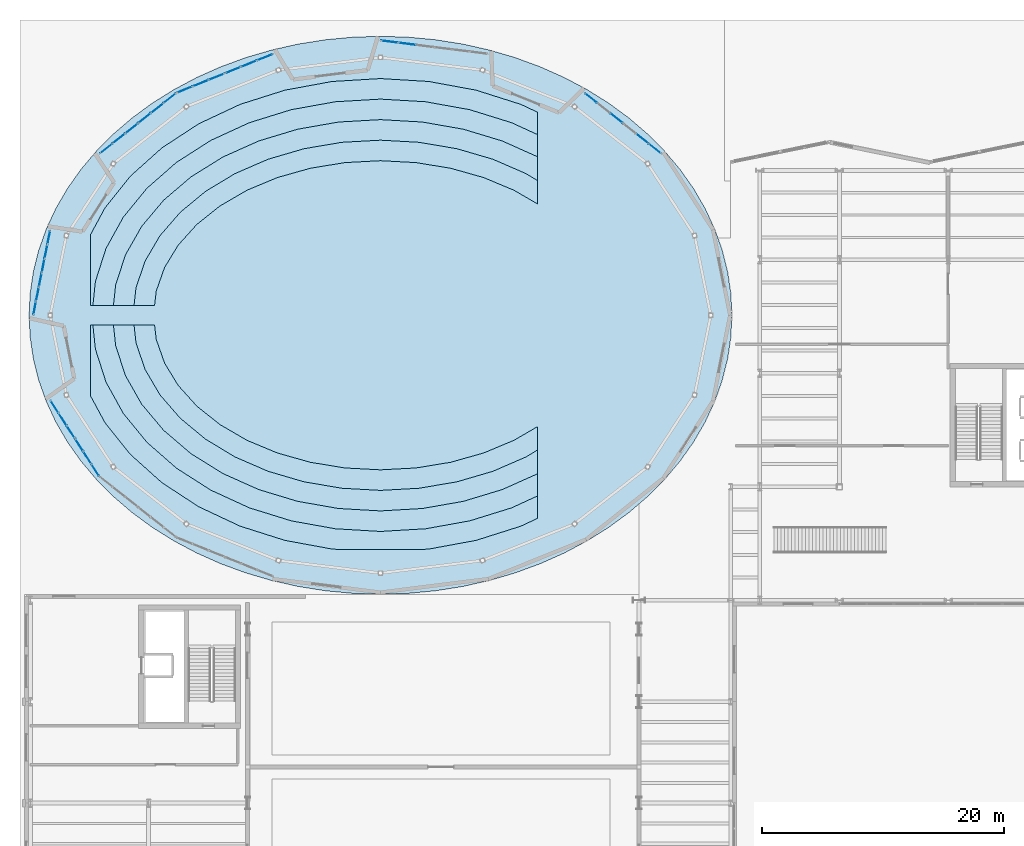
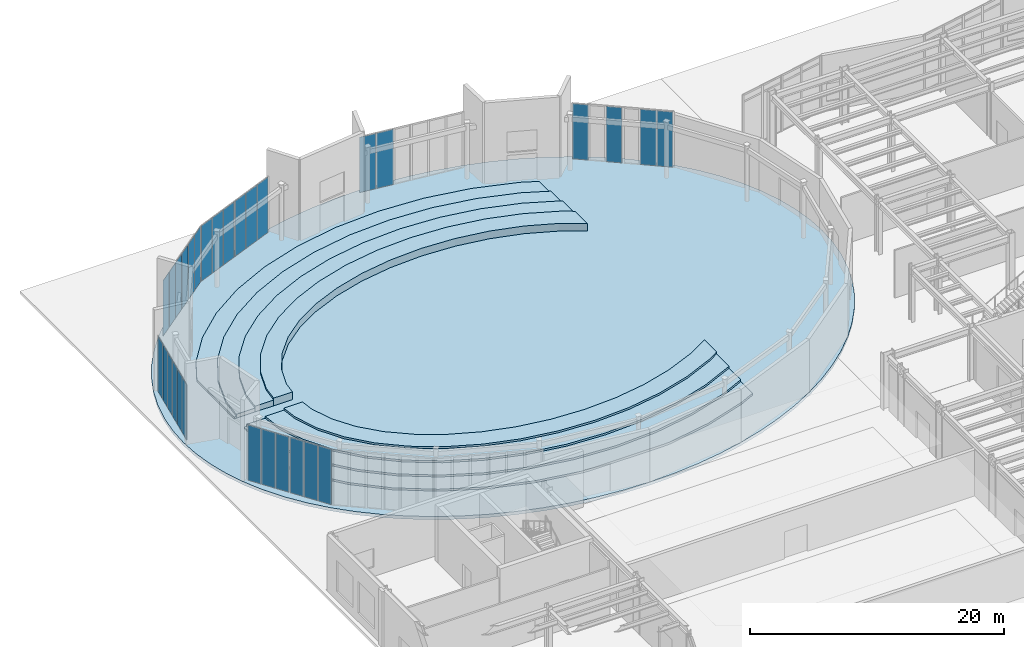
# One storey, part 66 of 94: 30 plates, 9 slabs, 11 elements without a shape of their own.
"""IFC4 building model written with IfcOpenShell, lengths in metres."""

from ifc_helpers import new_model, si_unit, direction, frame, origin, origin_2d, place, context, subcontext, project, spatial, polyline, rectangle, outline, extrude, material, layer, layer_set, type_object, element, aggregate, save


model = new_model("IFC4")

# Units and contexts
model_context = context("Model", 3, precision=1e-05, world=origin(), true_north=direction((0.0, 1.0)))
body_context = subcontext(model_context, "Body", "Model", "MODEL_VIEW")
ifc_project = project(units=[si_unit("LENGTHUNIT", "METRE"), si_unit("AREAUNIT", "SQUARE_METRE"), si_unit("VOLUMEUNIT", "CUBIC_METRE"), si_unit("PLANEANGLEUNIT", "RADIAN"), si_unit("MASSUNIT", "GRAM", prefix="KILO")], contexts=[model_context])

# Site, building, storey
site_placement = place(None, origin())
site = spatial("IfcSite", under=ifc_project, at=site_placement, CompositionType="ELEMENT")
building_placement = place(site_placement, origin())
building = spatial("IfcBuilding", under=site, at=building_placement, Name="Sollismere Congress Hotel", CompositionType="ELEMENT")
storey_placement = place(building_placement, origin())
storey = spatial("IfcBuildingStorey", under=building, at=storey_placement, Name="L00", CompositionType="ELEMENT", Elevation=0.0)

# Curtain wall, plates
ifc_material_1 = material(Name="Anodized Bronze Curtain Wall & Low-E Triple Glazing", Category="glass")
ifc_layer_1 = layer(ifc_material_1, 0.199951171875, Name="Anodized Bronze Curtain Wall & Low-E Triple Glazing")
ifc_layer_set_1 = layer_set([ifc_layer_1], Name="Anodized Bronze Curtain Wall & Low-E Triple Glazing")
curtain_wall_type = type_object("IfcCurtainWallType", Name="CW-GLZ36", PredefinedType="USERDEFINED", material=ifc_layer_set_1)
curtain_wall_1_placement = place(storey_placement, origin())
curtain_wall_1 = element("IfcCurtainWall", 1, at=curtain_wall_1_placement, inside=storey, type_object=curtain_wall_type, Name="Unitised curtain wall CW-L00-001", ObjectType="UNITISED CURTAIN WALL", PredefinedType="USERDEFINED")
ifc_material_2 = material(Name="Blue-Tinted Solar-Control Low-E Vision Glass", Category="glass")
ifc_layer_2 = layer(ifc_material_2, 0.035888671875, Name="Blue-Tinted Solar-Control Low-E Vision Glass")
ifc_layer_set_2 = layer_set([ifc_layer_2], Name="Blue-Tinted Solar-Control Low-E Vision Glass")
plate_type = type_object("IfcPlateType", Name="PL-CWGLZ", PredefinedType="CURTAIN_PANEL", material=ifc_layer_set_2)
plate_1_placement = place(storey_placement, frame((51.71435546875, 104.203369140625, 0.052978515625), z_axis=(0.0, 0.0, 1.0), x_axis=(-0.784181063891, 0.620532077362, 0.0)))
plate_1 = element("IfcPlate", 2, at=plate_1_placement, type_object=plate_type, Name="CWL-CW-L00-001-VP01", PredefinedType="CURTAIN_PANEL", context=body_context, shape_type="SweptSolid", body=[
    extrude(rectangle(XDim=1.2626953125, YDim=0.035888671875, at=origin_2d()), origin(), (0.0, 0.0, 1.0), 5.31396484375),
])
plate_2_placement = place(storey_placement, frame((50.669189453125, 105.0302734375, 0.052978515625), z_axis=(0.0, 0.0, 1.0), x_axis=(-0.784181063891, 0.620532077362, 0.0)))
plate_2 = element("IfcPlate", 3, at=plate_2_placement, type_object=plate_type, Name="CWL-CW-L00-001-VP02", PredefinedType="CURTAIN_PANEL", context=body_context, shape_type="SweptSolid", body=[
    extrude(rectangle(XDim=1.30078125, YDim=0.035888671875, at=origin_2d()), origin(), (0.0, 0.0, 1.0), 5.31396484375),
])
aggregate(curtain_wall_1, [plate_1, plate_2])

curtain_wall_2_placement = place(storey_placement, origin())
curtain_wall_2 = element("IfcCurtainWall", 4, at=curtain_wall_2_placement, inside=storey, type_object=curtain_wall_type, Name="Unitised curtain wall CW-L00-002", ObjectType="UNITISED CURTAIN WALL", PredefinedType="USERDEFINED")
plate_3_placement = place(storey_placement, frame((48.5341796875, 106.7197265625, 0.052978515625), z_axis=(0.0, 0.0, 1.0), x_axis=(-0.784181063891, 0.620532077362, 0.0)))
plate_3 = element("IfcPlate", 5, at=plate_3_placement, type_object=plate_type, Name="CWL-CW-L00-002-VP01", PredefinedType="CURTAIN_PANEL", context=body_context, shape_type="SweptSolid", body=[
    extrude(rectangle(XDim=1.2626953125, YDim=0.035888671875, at=origin_2d()), origin(), (0.0, 0.0, 1.0), 5.31396484375),
])
plate_4_placement = place(storey_placement, frame((46.443603515625, 108.373779296875, 0.052978515625), z_axis=(0.0, 0.0, 1.0), x_axis=(-0.784181063891, 0.620532077362, 0.0)))
plate_4 = element("IfcPlate", 6, at=plate_4_placement, type_object=plate_type, Name="CWL-CW-L00-002-VP03", PredefinedType="CURTAIN_PANEL", context=body_context, shape_type="SweptSolid", body=[
    extrude(rectangle(XDim=1.2626953125, YDim=0.035888671875, at=origin_2d()), origin(), (0.0, 0.0, 1.0), 5.31396484375),
])
aggregate(curtain_wall_2, [plate_3, plate_4])

curtain_wall_3_placement = place(storey_placement, origin())
curtain_wall_3 = element("IfcCurtainWall", 7, at=curtain_wall_3_placement, inside=storey, type_object=curtain_wall_type, Name="Unitised curtain wall CW-L00-012", ObjectType="UNITISED CURTAIN WALL", PredefinedType="USERDEFINED")
plate_5_placement = place(storey_placement, frame((31.220947265625, 112.87158203125, 0.052978515625), z_axis=(0.0, 0.0, 1.0), x_axis=(-0.992236726166, 0.124363496441, 0.0)))
plate_5 = element("IfcPlate", 8, at=plate_5_placement, type_object=plate_type, Name="CWL-CW-L00-012-VP02", PredefinedType="CURTAIN_PANEL", context=body_context, shape_type="SweptSolid", body=[
    extrude(rectangle(XDim=1.44140625, YDim=0.035888671875, at=origin_2d()), origin(), (0.0, 0.0, 1.0), 5.31396484375),
])
plate_6_placement = place(storey_placement, frame((29.75927734375, 113.0546875, 0.052978515625), z_axis=(0.0, 0.0, 1.0), x_axis=(-0.992236726166, 0.124363496441, 0.0)))
plate_6 = element("IfcPlate", 9, at=plate_6_placement, type_object=plate_type, Name="CWL-CW-L00-012-VP03", PredefinedType="CURTAIN_PANEL", context=body_context, shape_type="SweptSolid", body=[
    extrude(rectangle(XDim=1.4033203125, YDim=0.035888671875, at=origin_2d()), origin(), (0.0, 0.0, 1.0), 5.31396484375),
])
aggregate(curtain_wall_3, [plate_5, plate_6])

curtain_wall_4_placement = place(storey_placement, origin())
curtain_wall_4 = element("IfcCurtainWall", 10, at=curtain_wall_4_placement, inside=storey, type_object=curtain_wall_type, Name="Unitised curtain wall CW-L00-021", ObjectType="UNITISED CURTAIN WALL", PredefinedType="USERDEFINED")
plate_7_placement = place(storey_placement, frame((19.430419921875, 111.760009765625, 0.052978515625), z_axis=(0.0, 0.0, 1.0), x_axis=(-0.927451680013, -0.373943018709, 0.0)))
plate_7 = element("IfcPlate", 11, at=plate_7_placement, type_object=plate_type, Name="CWL-CW-L00-021-VP01", PredefinedType="CURTAIN_PANEL", context=body_context, shape_type="SweptSolid", body=[
    extrude(rectangle(XDim=1.351318359375, YDim=0.035888671875, at=origin_2d()), origin(), (0.0, 0.0, 1.0), 5.31396484375),
])
plate_8_placement = place(storey_placement, frame((18.112060546875, 111.228759765625, 0.052978515625), z_axis=(0.0, 0.0, 1.0), x_axis=(-0.927451680013, -0.373943018709, 0.0)))
plate_8 = element("IfcPlate", 12, at=plate_8_placement, type_object=plate_type, Name="CWL-CW-L00-021-VP02", PredefinedType="CURTAIN_PANEL", context=body_context, shape_type="SweptSolid", body=[
    extrude(rectangle(XDim=1.389404296875, YDim=0.035888671875, at=origin_2d()), origin(), (0.0, 0.0, 1.0), 5.31396484375),
])
plate_9_placement = place(storey_placement, frame((16.7939453125, 110.697265625, 0.052978515625), z_axis=(0.0, 0.0, 1.0), x_axis=(-0.927451680013, -0.373943018709, 0.0)))
plate_9 = element("IfcPlate", 13, at=plate_9_placement, type_object=plate_type, Name="CWL-CW-L00-021-VP03", PredefinedType="CURTAIN_PANEL", context=body_context, shape_type="SweptSolid", body=[
    extrude(rectangle(XDim=1.351318359375, YDim=0.035888671875, at=origin_2d()), origin(), (0.0, 0.0, 1.0), 5.31396484375),
])
aggregate(curtain_wall_4, [plate_7, plate_8, plate_9])

curtain_wall_5_placement = place(storey_placement, origin())
curtain_wall_5 = element("IfcCurtainWall", 14, at=curtain_wall_5_placement, inside=storey, type_object=curtain_wall_type, Name="Unitised curtain wall CW-L00-022", ObjectType="UNITISED CURTAIN WALL", PredefinedType="USERDEFINED")
plate_10_placement = place(storey_placement, frame((15.423095703125, 110.144287109375, 0.052978515625), z_axis=(0.0, 0.0, 1.0), x_axis=(-0.927451680013, -0.373943018709, 0.0)))
plate_10 = element("IfcPlate", 15, at=plate_10_placement, type_object=plate_type, Name="CWL-CW-L00-022-VP01", PredefinedType="CURTAIN_PANEL", context=body_context, shape_type="SweptSolid", body=[
    extrude(rectangle(XDim=1.351318359375, YDim=0.035888671875, at=origin_2d()), origin(), (0.0, 0.0, 1.0), 5.31396484375),
])
plate_11_placement = place(storey_placement, frame((14.104736328125, 109.61279296875, 0.052978515625), z_axis=(0.0, 0.0, 1.0), x_axis=(-0.927451680013, -0.373943018709, 0.0)))
plate_11 = element("IfcPlate", 16, at=plate_11_placement, type_object=plate_type, Name="CWL-CW-L00-022-VP02", PredefinedType="CURTAIN_PANEL", context=body_context, shape_type="SweptSolid", body=[
    extrude(rectangle(XDim=1.389404296875, YDim=0.035888671875, at=origin_2d()), origin(), (0.0, 0.0, 1.0), 5.31396484375),
])
plate_12_placement = place(storey_placement, frame((12.78662109375, 109.08154296875, 0.052978515625), z_axis=(0.0, 0.0, 1.0), x_axis=(-0.927451680013, -0.373943018709, 0.0)))
plate_12 = element("IfcPlate", 17, at=plate_12_placement, type_object=plate_type, Name="CWL-CW-L00-022-VP03", PredefinedType="CURTAIN_PANEL", context=body_context, shape_type="SweptSolid", body=[
    extrude(rectangle(XDim=1.351318359375, YDim=0.035888671875, at=origin_2d()), origin(), (0.0, 0.0, 1.0), 5.31396484375),
])
aggregate(curtain_wall_5, [plate_10, plate_11, plate_12])

curtain_wall_6_placement = place(storey_placement, origin())
curtain_wall_6 = element("IfcCurtainWall", 18, at=curtain_wall_6_placement, inside=storey, type_object=curtain_wall_type, Name="Unitised curtain wall CW-L00-027", ObjectType="UNITISED CURTAIN WALL", PredefinedType="USERDEFINED")
plate_13_placement = place(storey_placement, frame((11.556396484375, 108.373779296875, 0.052978515625), z_axis=(0.0, 0.0, 1.0), x_axis=(-0.784181063891, -0.620532077362, 0.0)))
plate_13 = element("IfcPlate", 19, at=plate_13_placement, type_object=plate_type, Name="CWL-CW-L00-027-VP01", PredefinedType="CURTAIN_PANEL", context=body_context, shape_type="SweptSolid", body=[
    extrude(rectangle(XDim=1.2626953125, YDim=0.035888671875, at=origin_2d()), origin(), (0.0, 0.0, 1.0), 5.31396484375),
])
plate_14_placement = place(storey_placement, frame((10.510986328125, 107.546875, 0.052978515625), z_axis=(0.0, 0.0, 1.0), x_axis=(-0.784181063891, -0.620532077362, 0.0)))
plate_14 = element("IfcPlate", 20, at=plate_14_placement, type_object=plate_type, Name="CWL-CW-L00-027-VP02", PredefinedType="CURTAIN_PANEL", context=body_context, shape_type="SweptSolid", body=[
    extrude(rectangle(XDim=1.30078125, YDim=0.035888671875, at=origin_2d()), origin(), (0.0, 0.0, 1.0), 5.31396484375),
])
plate_15_placement = place(storey_placement, frame((9.4658203125, 106.7197265625, 0.052978515625), z_axis=(0.0, 0.0, 1.0), x_axis=(-0.784181063891, -0.620532077362, 0.0)))
plate_15 = element("IfcPlate", 21, at=plate_15_placement, type_object=plate_type, Name="CWL-CW-L00-027-VP03", PredefinedType="CURTAIN_PANEL", context=body_context, shape_type="SweptSolid", body=[
    extrude(rectangle(XDim=1.2626953125, YDim=0.035888671875, at=origin_2d()), origin(), (0.0, 0.0, 1.0), 5.31396484375),
])
aggregate(curtain_wall_6, [plate_13, plate_14, plate_15])

curtain_wall_7_placement = place(storey_placement, origin())
curtain_wall_7 = element("IfcCurtainWall", 22, at=curtain_wall_7_placement, inside=storey, type_object=curtain_wall_type, Name="Unitised curtain wall CW-L00-028", ObjectType="UNITISED CURTAIN WALL", PredefinedType="USERDEFINED")
plate_16_placement = place(storey_placement, frame((8.376220703125, 105.857421875, 0.052978515625), z_axis=(0.0, 0.0, 1.0), x_axis=(-0.784181063891, -0.620532077362, 0.0)))
plate_16 = element("IfcPlate", 23, at=plate_16_placement, type_object=plate_type, Name="CWL-CW-L00-028-VP01", PredefinedType="CURTAIN_PANEL", context=body_context, shape_type="SweptSolid", body=[
    extrude(rectangle(XDim=1.2626953125, YDim=0.035888671875, at=origin_2d()), origin(), (0.0, 0.0, 1.0), 5.31396484375),
])
plate_17_placement = place(storey_placement, frame((7.330810546875, 105.0302734375, 0.052978515625), z_axis=(0.0, 0.0, 1.0), x_axis=(-0.784181063891, -0.620532077362, 0.0)))
plate_17 = element("IfcPlate", 24, at=plate_17_placement, type_object=plate_type, Name="CWL-CW-L00-028-VP02", PredefinedType="CURTAIN_PANEL", context=body_context, shape_type="SweptSolid", body=[
    extrude(rectangle(XDim=1.30078125, YDim=0.035888671875, at=origin_2d()), origin(), (0.0, 0.0, 1.0), 5.31396484375),
])
plate_18_placement = place(storey_placement, frame((6.28564453125, 104.203369140625, 0.052978515625), z_axis=(0.0, 0.0, 1.0), x_axis=(-0.784181063891, -0.620532077362, 0.0)))
plate_18 = element("IfcPlate", 25, at=plate_18_placement, type_object=plate_type, Name="CWL-CW-L00-028-VP03", PredefinedType="CURTAIN_PANEL", context=body_context, shape_type="SweptSolid", body=[
    extrude(rectangle(XDim=1.2626953125, YDim=0.035888671875, at=origin_2d()), origin(), (0.0, 0.0, 1.0), 5.31396484375),
])
aggregate(curtain_wall_7, [plate_16, plate_17, plate_18])

curtain_wall_8_placement = place(storey_placement, origin())
curtain_wall_8 = element("IfcCurtainWall", 26, at=curtain_wall_8_placement, inside=storey, type_object=curtain_wall_type, Name="Unitised curtain wall CW-L00-037", ObjectType="UNITISED CURTAIN WALL", PredefinedType="USERDEFINED")
plate_19_placement = place(storey_placement, frame((1.5361328125, 96.82568359375, 0.052978515625), z_axis=(0.0, 0.0, 1.0), x_axis=(-0.196254203749, -0.98055305186, 0.0)))
plate_19 = element("IfcPlate", 27, at=plate_19_placement, type_object=plate_type, Name="CWL-CW-L00-037-VP01", PredefinedType="CURTAIN_PANEL", context=body_context, shape_type="SweptSolid", body=[
    extrude(rectangle(XDim=1.10595703125, YDim=0.035888671875, at=origin_2d()), origin(), (0.0, 0.0, 1.0), 5.31396484375),
])
plate_20_placement = place(storey_placement, frame((1.305419921875, 95.672607421875, 0.052978515625), z_axis=(0.0, 0.0, 1.0), x_axis=(-0.196254203749, -0.98055305186, 0.0)))
plate_20 = element("IfcPlate", 28, at=plate_20_placement, type_object=plate_type, Name="CWL-CW-L00-037-VP02", PredefinedType="CURTAIN_PANEL", context=body_context, shape_type="SweptSolid", body=[
    extrude(rectangle(XDim=1.143798828125, YDim=0.035888671875, at=origin_2d()), origin(), (0.0, 0.0, 1.0), 5.31396484375),
])
plate_21_placement = place(storey_placement, frame((1.074462890625, 94.51953125, 0.052978515625), z_axis=(0.0, 0.0, 1.0), x_axis=(-0.196254203749, -0.98055305186, 0.0)))
plate_21 = element("IfcPlate", 29, at=plate_21_placement, type_object=plate_type, Name="CWL-CW-L00-037-VP03", PredefinedType="CURTAIN_PANEL", context=body_context, shape_type="SweptSolid", body=[
    extrude(rectangle(XDim=1.10595703125, YDim=0.035888671875, at=origin_2d()), origin(), (0.0, 0.0, 1.0), 5.31396484375),
])
aggregate(curtain_wall_8, [plate_19, plate_20, plate_21])

curtain_wall_9_placement = place(storey_placement, origin())
curtain_wall_9 = element("IfcCurtainWall", 30, at=curtain_wall_9_placement, inside=storey, type_object=curtain_wall_type, Name="Unitised curtain wall CW-L00-038", ObjectType="UNITISED CURTAIN WALL", PredefinedType="USERDEFINED")
plate_22_placement = place(storey_placement, frame((0.83251953125, 93.310546875, 0.052978515625), z_axis=(0.0, 0.0, 1.0), x_axis=(-0.196254203749, -0.98055305186, 0.0)))
plate_22 = element("IfcPlate", 31, at=plate_22_placement, type_object=plate_type, Name="CWL-CW-L00-038-VP01", PredefinedType="CURTAIN_PANEL", context=body_context, shape_type="SweptSolid", body=[
    extrude(rectangle(XDim=1.10595703125, YDim=0.035888671875, at=origin_2d()), origin(), (0.0, 0.0, 1.0), 5.31396484375),
])
plate_23_placement = place(storey_placement, frame((0.601806640625, 92.157470703125, 0.052978515625), z_axis=(0.0, 0.0, 1.0), x_axis=(-0.196254203749, -0.98055305186, 0.0)))
plate_23 = element("IfcPlate", 32, at=plate_23_placement, type_object=plate_type, Name="CWL-CW-L00-038-VP02", PredefinedType="CURTAIN_PANEL", context=body_context, shape_type="SweptSolid", body=[
    extrude(rectangle(XDim=1.143798828125, YDim=0.035888671875, at=origin_2d()), origin(), (0.0, 0.0, 1.0), 5.31396484375),
])
plate_24_placement = place(storey_placement, frame((0.37109375, 91.00439453125, 0.052978515625), z_axis=(0.0, 0.0, 1.0), x_axis=(-0.196254203749, -0.98055305186, 0.0)))
plate_24 = element("IfcPlate", 33, at=plate_24_placement, type_object=plate_type, Name="CWL-CW-L00-038-VP03", PredefinedType="CURTAIN_PANEL", context=body_context, shape_type="SweptSolid", body=[
    extrude(rectangle(XDim=1.10595703125, YDim=0.035888671875, at=origin_2d()), origin(), (0.0, 0.0, 1.0), 5.31396484375),
])
aggregate(curtain_wall_9, [plate_22, plate_23, plate_24])

curtain_wall_10_placement = place(storey_placement, origin())
curtain_wall_10 = element("IfcCurtainWall", 34, at=curtain_wall_10_placement, inside=storey, type_object=curtain_wall_type, Name="Unitised curtain wall CW-L00-047", ObjectType="UNITISED CURTAIN WALL", PredefinedType="USERDEFINED")
plate_25_placement = place(storey_placement, frame((2.0078125, 82.825439453125, 0.052978515625), z_axis=(0.0, 0.0, 1.0), x_axis=(0.541385415951, -0.840774542547, 0.0)))
plate_25 = element("IfcPlate", 35, at=plate_25_placement, type_object=plate_type, Name="CWL-CW-L00-047-VP01", PredefinedType="CURTAIN_PANEL", context=body_context, shape_type="SweptSolid", body=[
    extrude(rectangle(XDim=1.168212890625, YDim=0.035888671875, at=origin_2d()), origin(), (0.0, 0.0, 1.0), 5.31396484375),
])
plate_26_placement = place(storey_placement, frame((2.677978515625, 81.784423828125, 0.052978515625), z_axis=(0.0, 0.0, 1.0), x_axis=(0.541385415951, -0.840774542547, 0.0)))
plate_26 = element("IfcPlate", 36, at=plate_26_placement, type_object=plate_type, Name="CWL-CW-L00-047-VP02", PredefinedType="CURTAIN_PANEL", context=body_context, shape_type="SweptSolid", body=[
    extrude(rectangle(XDim=1.206298828125, YDim=0.035888671875, at=origin_2d()), origin(), (0.0, 0.0, 1.0), 5.31396484375),
])
plate_27_placement = place(storey_placement, frame((3.348388671875, 80.743408203125, 0.052978515625), z_axis=(0.0, 0.0, 1.0), x_axis=(0.541385415951, -0.840774542547, 0.0)))
plate_27 = element("IfcPlate", 37, at=plate_27_placement, type_object=plate_type, Name="CWL-CW-L00-047-VP03", PredefinedType="CURTAIN_PANEL", context=body_context, shape_type="SweptSolid", body=[
    extrude(rectangle(XDim=1.168212890625, YDim=0.035888671875, at=origin_2d()), origin(), (0.0, 0.0, 1.0), 5.31396484375),
])
aggregate(curtain_wall_10, [plate_25, plate_26, plate_27])

curtain_wall_11_placement = place(storey_placement, origin())
curtain_wall_11 = element("IfcCurtainWall", 38, at=curtain_wall_11_placement, inside=storey, type_object=curtain_wall_type, Name="Unitised curtain wall CW-L00-048", ObjectType="UNITISED CURTAIN WALL", PredefinedType="USERDEFINED")
plate_28_placement = place(storey_placement, frame((4.049560546875, 79.654296875, 0.052978515625), z_axis=(0.0, 0.0, 1.0), x_axis=(0.541385415951, -0.840774542547, 0.0)))
plate_28 = element("IfcPlate", 39, at=plate_28_placement, type_object=plate_type, Name="CWL-CW-L00-048-VP01", PredefinedType="CURTAIN_PANEL", context=body_context, shape_type="SweptSolid", body=[
    extrude(rectangle(XDim=1.168212890625, YDim=0.035888671875, at=origin_2d()), origin(), (0.0, 0.0, 1.0), 5.31396484375),
])
plate_29_placement = place(storey_placement, frame((4.719970703125, 78.61328125, 0.052978515625), z_axis=(0.0, 0.0, 1.0), x_axis=(0.541385415951, -0.840774542547, 0.0)))
plate_29 = element("IfcPlate", 40, at=plate_29_placement, type_object=plate_type, Name="CWL-CW-L00-048-VP02", PredefinedType="CURTAIN_PANEL", context=body_context, shape_type="SweptSolid", body=[
    extrude(rectangle(XDim=1.206298828125, YDim=0.035888671875, at=origin_2d()), origin(), (0.0, 0.0, 1.0), 5.31396484375),
])
plate_30_placement = place(storey_placement, frame((5.39013671875, 77.572509765625, 0.052978515625), z_axis=(0.0, 0.0, 1.0), x_axis=(0.541385415951, -0.840774542547, 0.0)))
plate_30 = element("IfcPlate", 41, at=plate_30_placement, type_object=plate_type, Name="CWL-CW-L00-048-VP03", PredefinedType="CURTAIN_PANEL", context=body_context, shape_type="SweptSolid", body=[
    extrude(rectangle(XDim=1.168212890625, YDim=0.035888671875, at=origin_2d()), origin(), (0.0, 0.0, 1.0), 5.31396484375),
])
aggregate(curtain_wall_11, [plate_28, plate_29, plate_30])

# Slabs
ifc_material_3 = material(Name="Concrete C40/50", Category="concrete")
ifc_layer_3 = layer(ifc_material_3, 0.300048828125, Name="Concrete C40/50")
ifc_layer_set_3 = layer_set([ifc_layer_3], Name="Concrete C40/50")
slab_type_1 = type_object("IfcSlabType", Name="SL-FLR300", PredefinedType="FLOOR", material=ifc_layer_set_3)
slab_1_placement = place(storey_placement, frame((0.0, 0.0, -0.300048828125)))
element("IfcSlab", 42, at=slab_1_placement, inside=storey, type_object=slab_type_1, Name="Slab SL-L00-V1", PredefinedType="FLOOR", context=body_context, shape_type="SweptSolid", body=[
    extrude(outline(polyline([(58.10009765625, 90.39990234375), (58.01025390625, 92.21240234375), (57.74169921875, 94.013671875), (57.2958984375, 95.79248046875), (56.67578125, 97.538330078125), (55.885009765625, 99.239990234375), (54.92822265625, 100.88720703125), (53.811767578125, 102.4697265625), (52.54248046875, 103.977783203125), (51.127685546875, 105.402099609375), (49.576904296875, 106.734130859375), (47.89892578125, 107.96533203125), (46.1044921875, 109.08837890625), (44.20458984375, 110.095947265625), (42.211181640625, 110.982421875), (40.135986328125, 111.74169921875), (37.992431640625, 112.369384765625), (35.793212890625, 112.86181640625), (33.55224609375, 113.215576171875), (31.283203125, 113.4287109375), (29.0, 113.5), (26.716796875, 113.4287109375), (24.44775390625, 113.215576171875), (22.206787109375, 112.86181640625), (20.007568359375, 112.369384765625), (17.864013671875, 111.74169921875), (15.788818359375, 110.982421875), (13.79541015625, 110.095947265625), (11.8955078125, 109.08837890625), (10.10107421875, 107.96533203125), (8.423095703125, 106.734130859375), (6.872314453125, 105.402099609375), (5.45751953125, 103.977783203125), (4.188232421875, 102.4697265625), (3.07177734375, 100.88720703125), (2.114990234375, 99.239990234375), (1.32421875, 97.538330078125), (0.7041015625, 95.79248046875), (0.25830078125, 94.013671875), (-0.01025390625, 92.21240234375), (-0.10009765625, 90.39990234375), (-0.01025390625, 88.587646484375), (0.25830078125, 86.786376953125), (0.7041015625, 85.00732421875), (1.32421875, 83.26171875), (2.114990234375, 81.56005859375), (3.07177734375, 79.912841796875), (4.188232421875, 78.330322265625), (5.45751953125, 76.822265625), (6.872314453125, 75.397705078125), (8.423095703125, 74.06591796875), (10.10107421875, 72.834716796875), (11.8955078125, 71.711669921875), (13.79541015625, 70.7041015625), (15.788818359375, 69.817626953125), (17.864013671875, 69.058349609375), (20.007568359375, 68.4306640625), (22.206787109375, 67.938232421875), (24.44775390625, 67.58447265625), (26.716796875, 67.37109375), (29.0, 67.300048828125), (31.283203125, 67.37109375), (33.55224609375, 67.58447265625), (35.793212890625, 67.938232421875), (37.992431640625, 68.4306640625), (40.135986328125, 69.058349609375), (42.211181640625, 69.817626953125), (44.20458984375, 70.7041015625), (46.1044921875, 71.711669921875), (47.89892578125, 72.834716796875), (49.576904296875, 74.06591796875), (51.127685546875, 75.397705078125), (52.54248046875, 76.822265625), (53.811767578125, 78.330322265625), (54.92822265625, 79.912841796875), (55.885009765625, 81.56005859375), (56.67578125, 83.26171875), (57.2958984375, 85.00732421875), (57.74169921875, 86.786376953125), (58.01025390625, 88.587646484375), (58.10009765625, 90.39990234375)])), origin(), (0.0, 0.0, 1.0), 0.300048828125),
])
ifc_layer_4 = layer(ifc_material_3, 0.18505859375, Name="Concrete C40/50")
ifc_layer_set_4 = layer_set([ifc_layer_4], Name="Concrete C40/50")
slab_type_2 = type_object("IfcSlabType", Name="SL-TIER185", PredefinedType="FLOOR", material=ifc_layer_set_4)
slab_2_placement = place(storey_placement, origin())
element("IfcSlab", 43, at=slab_2_placement, inside=storey, type_object=slab_type_2, Name="Slab SL-L00-T1N", PredefinedType="FLOOR", context=body_context, shape_type="SweptSolid", body=[
    extrude(outline(polyline([(5.0, 97.09814453125), (5.0, 91.199951171875), (5.18408203125, 91.199951171875), (5.394287109375, 93.2001953125), (6.269775390625, 95.931396484375), (7.704833984375, 98.5263671875), (9.66455078125, 100.92138671875), (12.10009765625, 103.05712890625), (14.951904296875, 104.88134765625), (18.149658203125, 106.34912109375), (21.614501953125, 107.423828125), (25.26123046875, 108.07958984375), (29.0, 108.300048828125), (32.73876953125, 108.07958984375), (36.385498046875, 107.423828125), (39.850341796875, 106.34912109375), (42.0, 105.3623046875), (42.0, 107.21728515625), (40.622314453125, 107.86376953125), (36.910888671875, 109.040771484375), (33.004638671875, 109.7587890625), (29.0, 110.0), (24.995361328125, 109.7587890625), (21.089111328125, 109.040771484375), (17.377685546875, 107.86376953125), (13.95263671875, 106.256591796875), (10.898193359375, 104.25927734375), (8.289306640625, 101.920654296875), (6.190185546875, 99.298095703125), (5.0, 97.09814453125)])), origin(), (0.0, 0.0, 1.0), 0.18505859375),
])
slab_3_placement = place(storey_placement, origin())
element("IfcSlab", 44, at=slab_3_placement, inside=storey, type_object=slab_type_2, Name="Slab SL-L00-T1S", PredefinedType="FLOOR", context=body_context, shape_type="SweptSolid", body=[
    extrude(outline(polyline([(42.0, 73.582763671875), (42.0, 75.4375), (39.850341796875, 74.450927734375), (36.385498046875, 73.376220703125), (32.73876953125, 72.720458984375), (29.0, 72.5), (25.26123046875, 72.720458984375), (21.614501953125, 73.376220703125), (18.149658203125, 74.450927734375), (14.951904296875, 75.918701171875), (12.10009765625, 77.742919921875), (9.66455078125, 79.878662109375), (7.704833984375, 82.273681640625), (6.269775390625, 84.86865234375), (5.394287109375, 87.599853515625), (5.18408203125, 89.60009765625), (5.0, 89.60009765625), (5.0, 83.701904296875), (6.190185546875, 81.501708984375), (8.289306640625, 78.87939453125), (10.898193359375, 76.540771484375), (13.95263671875, 74.543212890625), (17.377685546875, 72.936279296875), (21.089111328125, 71.75927734375), (24.995361328125, 71.041259765625), (25.6806640625, 71.0), (32.3193359375, 71.0), (33.004638671875, 71.041259765625), (36.910888671875, 71.75927734375), (40.622314453125, 72.936279296875), (42.0, 73.582763671875)])), origin(), (0.0, 0.0, 1.0), 0.18505859375),
])
ifc_layer_5 = layer(ifc_material_3, 0.3701171875, Name="Concrete C40/50")
ifc_layer_set_5 = layer_set([ifc_layer_5], Name="Concrete C40/50")
slab_type_3 = type_object("IfcSlabType", Name="SL-TIER370", PredefinedType="FLOOR", material=ifc_layer_set_5)
slab_4_placement = place(storey_placement, origin())
element("IfcSlab", 45, at=slab_4_placement, inside=storey, type_object=slab_type_3, Name="Slab SL-L00-T2N", PredefinedType="FLOOR", context=body_context, shape_type="SweptSolid", body=[
    extrude(outline(polyline([(5.18408203125, 91.199951171875), (6.88623046875, 91.199951171875), (7.0732421875, 92.93408203125), (7.886474609375, 95.406005859375), (9.2197265625, 97.754638671875), (11.039794921875, 99.922119140625), (13.30224609375, 101.85498046875), (15.951171875, 103.506103515625), (18.92138671875, 104.834228515625), (22.139892578125, 105.80712890625), (25.527099609375, 106.400634765625), (29.0, 106.60009765625), (32.472900390625, 106.400634765625), (35.860107421875, 105.80712890625), (39.07861328125, 104.834228515625), (42.0, 103.52783203125), (42.0, 105.3623046875), (39.850341796875, 106.34912109375), (36.385498046875, 107.423828125), (32.73876953125, 108.07958984375), (29.0, 108.300048828125), (25.26123046875, 108.07958984375), (21.614501953125, 107.423828125), (18.149658203125, 106.34912109375), (14.951904296875, 104.88134765625), (12.10009765625, 103.05712890625), (9.66455078125, 100.92138671875), (7.704833984375, 98.5263671875), (6.269775390625, 95.931396484375), (5.394287109375, 93.2001953125), (5.18408203125, 91.199951171875)])), origin(), (0.0, 0.0, 1.0), 0.3701171875),
])
slab_5_placement = place(storey_placement, origin())
element("IfcSlab", 46, at=slab_5_placement, inside=storey, type_object=slab_type_3, Name="Slab SL-L00-T2S", PredefinedType="FLOOR", context=body_context, shape_type="SweptSolid", body=[
    extrude(outline(polyline([(42.0, 75.4375), (42.0, 77.272216796875), (39.07861328125, 75.9658203125), (35.860107421875, 74.992919921875), (32.472900390625, 74.3994140625), (29.0, 74.199951171875), (25.527099609375, 74.3994140625), (22.139892578125, 74.992919921875), (18.92138671875, 75.9658203125), (15.951171875, 77.2939453125), (13.30224609375, 78.94482421875), (11.039794921875, 80.8779296875), (9.2197265625, 83.04541015625), (7.886474609375, 85.393798828125), (7.0732421875, 87.86572265625), (6.88623046875, 89.60009765625), (5.18408203125, 89.60009765625), (5.394287109375, 87.599853515625), (6.269775390625, 84.86865234375), (7.704833984375, 82.273681640625), (9.66455078125, 79.878662109375), (12.10009765625, 77.742919921875), (14.951904296875, 75.918701171875), (18.149658203125, 74.450927734375), (21.614501953125, 73.376220703125), (25.26123046875, 72.720458984375), (29.0, 72.5), (32.73876953125, 72.720458984375), (36.385498046875, 73.376220703125), (39.850341796875, 74.450927734375), (42.0, 75.4375)])), origin(), (0.0, 0.0, 1.0), 0.3701171875),
])
ifc_layer_6 = layer(ifc_material_3, 0.554931640625, Name="Concrete C40/50")
ifc_layer_set_6 = layer_set([ifc_layer_6], Name="Concrete C40/50")
slab_type_4 = type_object("IfcSlabType", Name="SL-TIER555", PredefinedType="FLOOR", material=ifc_layer_set_6)
slab_6_placement = place(storey_placement, origin())
element("IfcSlab", 47, at=slab_6_placement, inside=storey, type_object=slab_type_4, Name="Slab SL-L00-T3N", PredefinedType="FLOOR", context=body_context, shape_type="SweptSolid", body=[
    extrude(outline(polyline([(6.88623046875, 91.199951171875), (8.589111328125, 91.199951171875), (8.75244140625, 92.668212890625), (9.50341796875, 94.880615234375), (10.734375, 96.98291015625), (12.415283203125, 98.9228515625), (14.50439453125, 100.653076171875), (16.950439453125, 102.130615234375), (19.693115234375, 103.319580078125), (22.665283203125, 104.190185546875), (25.793212890625, 104.721435546875), (29.0, 104.89990234375), (32.206787109375, 104.721435546875), (35.334716796875, 104.190185546875), (38.306884765625, 103.319580078125), (41.049560546875, 102.130615234375), (42.0, 101.556640625), (42.0, 103.52783203125), (39.07861328125, 104.834228515625), (35.860107421875, 105.80712890625), (32.472900390625, 106.400634765625), (29.0, 106.60009765625), (25.527099609375, 106.400634765625), (22.139892578125, 105.80712890625), (18.92138671875, 104.834228515625), (15.951171875, 103.506103515625), (13.30224609375, 101.85498046875), (11.039794921875, 99.922119140625), (9.2197265625, 97.754638671875), (7.886474609375, 95.406005859375), (7.0732421875, 92.93408203125), (6.88623046875, 91.199951171875)])), origin(), (0.0, 0.0, 1.0), 0.554931640625),
])
slab_7_placement = place(storey_placement, origin())
element("IfcSlab", 48, at=slab_7_placement, inside=storey, type_object=slab_type_4, Name="Slab SL-L00-T3S", PredefinedType="FLOOR", context=body_context, shape_type="SweptSolid", body=[
    extrude(outline(polyline([(42.0, 77.272216796875), (42.0, 79.243408203125), (41.049560546875, 78.669189453125), (38.306884765625, 77.48046875), (35.334716796875, 76.609619140625), (32.206787109375, 76.07861328125), (29.0, 75.89990234375), (25.793212890625, 76.07861328125), (22.665283203125, 76.609619140625), (19.693115234375, 77.48046875), (16.950439453125, 78.669189453125), (14.50439453125, 80.14697265625), (12.415283203125, 81.877197265625), (10.734375, 83.817138671875), (9.50341796875, 85.919189453125), (8.75244140625, 88.131591796875), (8.589111328125, 89.60009765625), (6.88623046875, 89.60009765625), (7.0732421875, 87.86572265625), (7.886474609375, 85.393798828125), (9.2197265625, 83.04541015625), (11.039794921875, 80.8779296875), (13.30224609375, 78.94482421875), (15.951171875, 77.2939453125), (18.92138671875, 75.9658203125), (22.139892578125, 74.992919921875), (25.527099609375, 74.3994140625), (29.0, 74.199951171875), (32.472900390625, 74.3994140625), (35.860107421875, 74.992919921875), (39.07861328125, 75.9658203125), (42.0, 77.272216796875)])), origin(), (0.0, 0.0, 1.0), 0.554931640625),
])
ifc_layer_7 = layer(ifc_material_3, 0.739990234375, Name="Concrete C40/50")
ifc_layer_set_7 = layer_set([ifc_layer_7], Name="Concrete C40/50")
slab_type_5 = type_object("IfcSlabType", Name="SL-TIER740", PredefinedType="FLOOR", material=ifc_layer_set_7)
slab_8_placement = place(storey_placement, origin())
element("IfcSlab", 49, at=slab_8_placement, inside=storey, type_object=slab_type_5, Name="Slab SL-L00-T4N", PredefinedType="FLOOR", context=body_context, shape_type="SweptSolid", body=[
    extrude(outline(polyline([(8.589111328125, 91.199951171875), (10.29248046875, 91.199951171875), (10.431396484375, 92.40234375), (11.1201171875, 94.35546875), (12.2490234375, 96.211181640625), (13.79052734375, 97.923583984375), (15.706298828125, 99.450927734375), (17.94970703125, 100.75537109375), (20.465087890625, 101.804931640625), (23.1904296875, 102.573486328125), (26.05908203125, 103.04248046875), (29.0, 103.199951171875), (31.94091796875, 103.04248046875), (34.8095703125, 102.573486328125), (37.534912109375, 101.804931640625), (40.05029296875, 100.75537109375), (42.0, 99.62158203125), (42.0, 101.556640625), (41.049560546875, 102.130615234375), (38.306884765625, 103.319580078125), (35.334716796875, 104.190185546875), (32.206787109375, 104.721435546875), (29.0, 104.89990234375), (25.793212890625, 104.721435546875), (22.665283203125, 104.190185546875), (19.693115234375, 103.319580078125), (16.950439453125, 102.130615234375), (14.50439453125, 100.653076171875), (12.415283203125, 98.9228515625), (10.734375, 96.98291015625), (9.50341796875, 94.880615234375), (8.75244140625, 92.668212890625), (8.589111328125, 91.199951171875)])), origin(), (0.0, 0.0, 1.0), 0.739990234375),
])
slab_9_placement = place(storey_placement, origin())
element("IfcSlab", 50, at=slab_9_placement, inside=storey, type_object=slab_type_5, Name="Slab SL-L00-T4S", PredefinedType="FLOOR", context=body_context, shape_type="SweptSolid", body=[
    extrude(outline(polyline([(42.0, 79.243408203125), (42.0, 81.17822265625), (40.05029296875, 80.044677734375), (37.534912109375, 78.9951171875), (34.8095703125, 78.2265625), (31.94091796875, 77.757568359375), (29.0, 77.60009765625), (26.05908203125, 77.757568359375), (23.1904296875, 78.2265625), (20.465087890625, 78.9951171875), (17.94970703125, 80.044677734375), (15.706298828125, 81.34912109375), (13.79052734375, 82.876220703125), (12.2490234375, 84.5888671875), (11.1201171875, 86.444580078125), (10.431396484375, 88.397705078125), (10.29248046875, 89.60009765625), (8.589111328125, 89.60009765625), (8.75244140625, 88.131591796875), (9.50341796875, 85.919189453125), (10.734375, 83.817138671875), (12.415283203125, 81.877197265625), (14.50439453125, 80.14697265625), (16.950439453125, 78.669189453125), (19.693115234375, 77.48046875), (22.665283203125, 76.609619140625), (25.793212890625, 76.07861328125), (29.0, 75.89990234375), (32.206787109375, 76.07861328125), (35.334716796875, 76.609619140625), (38.306884765625, 77.48046875), (41.049560546875, 78.669189453125), (42.0, 79.243408203125)])), origin(), (0.0, 0.0, 1.0), 0.739990234375),
])

save(model, "model.ifc")
